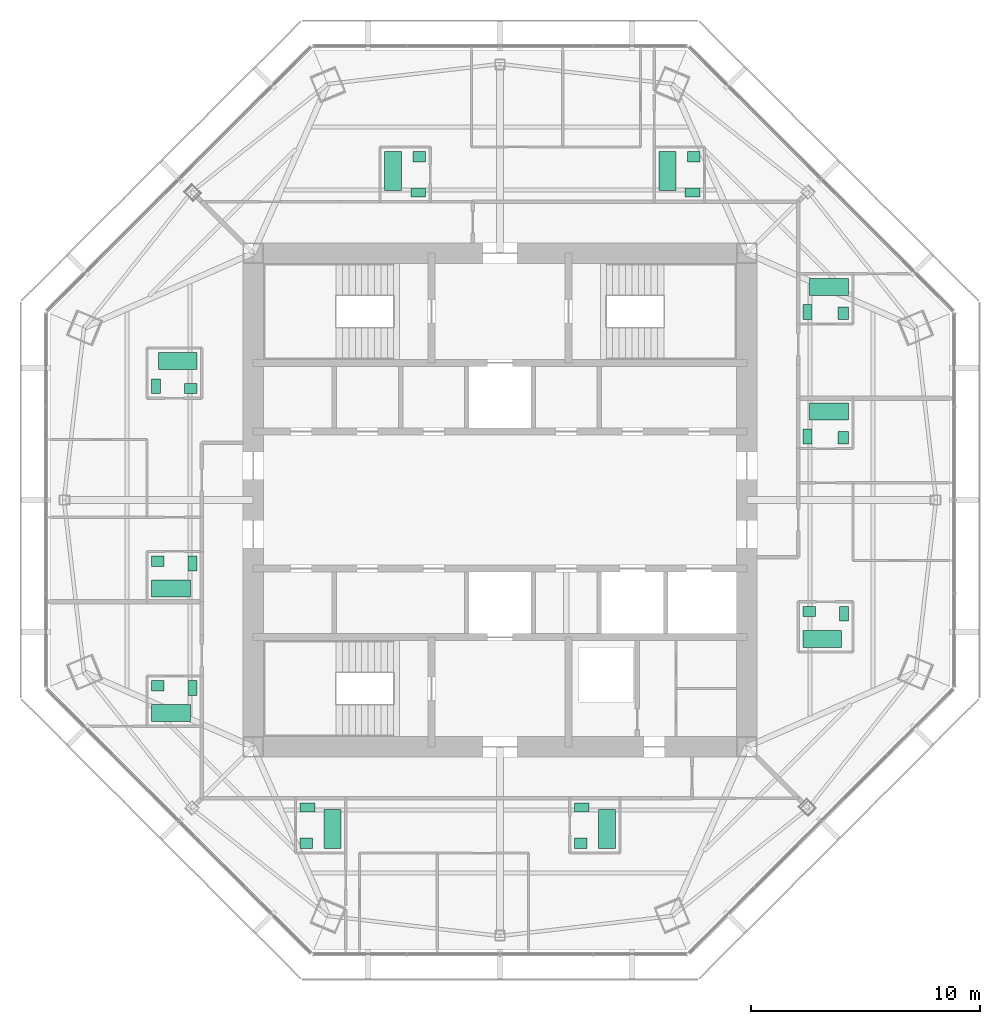
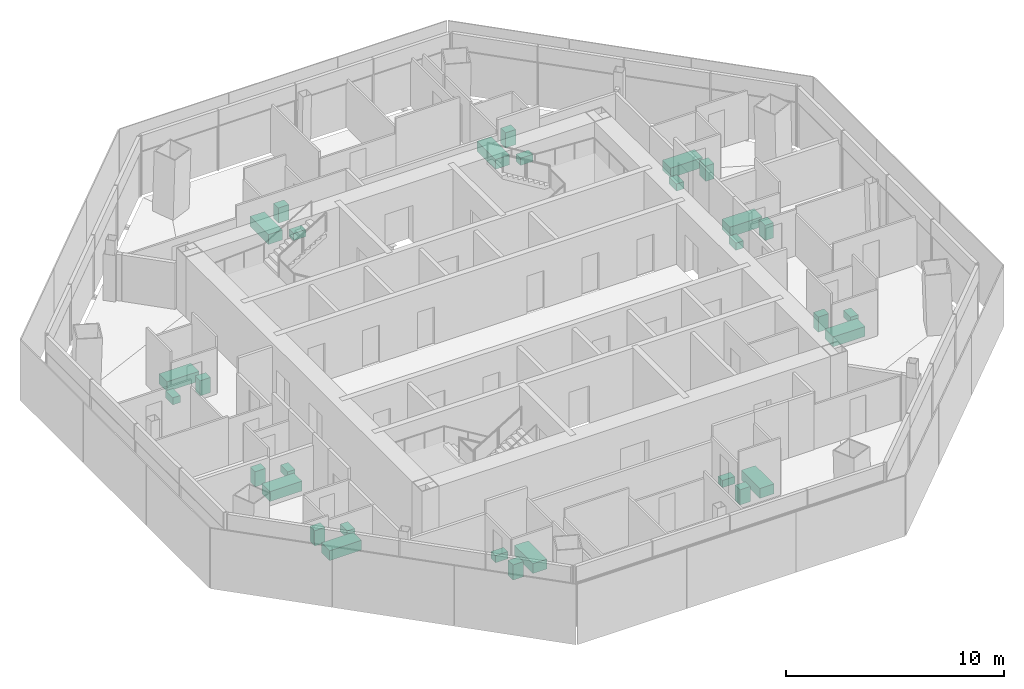
# One storey, part 14 of 14: 30 sanitary terminals.
"""IFC4 building model written with IfcOpenShell, lengths in metres."""

from ifc_helpers import new_model, si_unit, direction, frame, origin, origin_2d, place, context, subcontext, project, spatial, rectangle, extrude, material, type_object, element, save


model = new_model("IFC4")

# Units and contexts
model_context = context("Model", 3, precision=1e-05, world=origin(), true_north=direction((0.0, 1.0)))
body_context = subcontext(model_context, "Body", "Model", "MODEL_VIEW")
ifc_project = project(units=[si_unit("LENGTHUNIT", "METRE"), si_unit("AREAUNIT", "SQUARE_METRE"), si_unit("VOLUMEUNIT", "CUBIC_METRE"), si_unit("PLANEANGLEUNIT", "RADIAN"), si_unit("MASSUNIT", "GRAM", prefix="KILO")], contexts=[model_context])

# Site, building, storey
site_placement = place(None, origin())
site = spatial("IfcSite", under=ifc_project, at=site_placement, CompositionType="ELEMENT")
building_placement = place(site_placement, origin())
building = spatial("IfcBuilding", under=site, at=building_placement, Name="Mashrafa Tower", CompositionType="ELEMENT")
storey_placement = place(building_placement, frame((0.0, 0.0, 287.800048828125)))
storey = spatial("IfcBuildingStorey", under=building, at=storey_placement, Name="L70", CompositionType="ELEMENT", Elevation=287.800048828125)

# Sanitary terminals
ifc_material_1 = material(Name="Enamelled steel", Category="steel")
sanitary_terminal_type_1 = type_object("IfcSanitaryTerminalType", Name="Bath 1700 x 750", PredefinedType="BATH", material=ifc_material_1)
for number, where, z_axis, x_axis, name in (
    (1, (14.10009765625, -6.074951171875, 0.0), (0.0, 0.0, 1.0), (1.0, 0.0, 0.0), "Bath Apartment 7001 Bathroom"),
    (2, (14.39990234375, 3.875, 0.0), (0.0, 0.0, 1.0), (-1.0, 0.0, 0.0), "Bath Apartment 7001 En-suite Bathroom"),
    (3, (14.39990234375, 9.324951171875, 0.0), (0.0, 0.0, 1.0), (-1.0, 0.0, 0.0), "Bath Apartment 7002 Bathroom"),
    (4, (-4.675048828125, 14.39990234375, 0.0), (0.0, 0.0, 1.0), (0.0, -1.0, 0.0), "Bath Apartment 7003 Bathroom"),
    (5, (7.324951171875, 14.39990234375, 0.0), (0.0, 0.0, 1.0), (0.0, -1.0, 0.0), "Bath Apartment 7003 En-suite Bathroom"),
    (6, (-14.10009765625, 6.074951171875, 0.0), (0.0, 0.0, 1.0), (-1.0, 0.0, 0.0), "Bath Apartment 7004 Bathroom"),
    (7, (-14.39990234375, -3.875, 0.0), (0.0, 0.0, 1.0), (1.0, 0.0, 0.0), "Bath Apartment 7004 En-suite Bathroom"),
    (8, (-14.39990234375, -9.324951171875, 0.0), (0.0, 0.0, 1.0), (1.0, 0.0, 0.0), "Bath Apartment 7005 Bathroom"),
    (9, (4.675048828125, -14.39990234375, 0.0), (0.0, 0.0, 1.0), (0.0, 1.0, 0.0), "Bath Apartment 7006 Bathroom"),
    (10, (-7.324951171875, -14.39990234375, 0.0), (0.0, 0.0, 1.0), (0.0, 1.0, 0.0), "Bath Apartment 7006 En-suite Bathroom"),
):
    element("IfcSanitaryTerminal", number, at=place(storey_placement, frame(where, z_axis=z_axis, x_axis=x_axis)), inside=storey, type_object=sanitary_terminal_type_1, Name=name, PredefinedType="BATH", context=body_context, shape_type="SweptSolid", body=[
        extrude(rectangle(XDim=1.699951171875, YDim=0.75, at=origin_2d()), origin(), (0.0, 0.0, 1.0), 0.550048828125),
    ])
ifc_material_2 = material(Name="Vitreous china")
sanitary_terminal_type_2 = type_object("IfcSanitaryTerminalType", Name="Toilet pan 400 x 650", PredefinedType="TOILETPAN", material=ifc_material_2)
for number, where, z_axis, x_axis, name in (
    (11, (15.050048828125, -4.97509765625, 0.0), (0.0, 0.0, 1.0), (-1.0, 0.0, 0.0), "Toilet pan Apartment 7001 Bathroom"),
    (12, (13.449951171875, 2.77490234375, 0.0), (0.0, 0.0, 1.0), (1.0, 0.0, 0.0), "Toilet pan Apartment 7001 En-suite Bathroom"),
    (13, (13.449951171875, 8.22509765625, 0.0), (0.0, 0.0, 1.0), (1.0, 0.0, 0.0), "Toilet pan Apartment 7002 Bathroom"),
    (14, (-3.574951171875, 13.449951171875, 0.0), (0.0, 0.0, 1.0), (0.0, 1.0, 0.0), "Toilet pan Apartment 7003 Bathroom"),
    (15, (8.425048828125, 13.449951171875, 0.0), (0.0, 0.0, 1.0), (0.0, 1.0, 0.0), "Toilet pan Apartment 7003 En-suite Bathroom"),
    (16, (-15.050048828125, 4.97509765625, 0.0), (0.0, 0.0, 1.0), (1.0, 0.0, 0.0), "Toilet pan Apartment 7004 Bathroom"),
    (17, (-13.449951171875, -2.77490234375, 0.0), (0.0, 0.0, 1.0), (-1.0, 0.0, 0.0), "Toilet pan Apartment 7004 En-suite Bathroom"),
    (18, (-13.449951171875, -8.22509765625, 0.0), (0.0, 0.0, 1.0), (-1.0, 0.0, 0.0), "Toilet pan Apartment 7005 Bathroom"),
    (19, (3.574951171875, -13.449951171875, 0.0), (0.0, 0.0, 1.0), (0.0, -1.0, 0.0), "Toilet pan Apartment 7006 Bathroom"),
    (20, (-8.425048828125, -13.449951171875, 0.0), (0.0, 0.0, 1.0), (0.0, -1.0, 0.0), "Toilet pan Apartment 7006 En-suite Bathroom"),
):
    element("IfcSanitaryTerminal", number, at=place(storey_placement, frame(where, z_axis=z_axis, x_axis=x_axis)), inside=storey, type_object=sanitary_terminal_type_2, Name=name, PredefinedType="TOILETPAN", context=body_context, shape_type="SweptSolid", body=[
        extrude(rectangle(XDim=0.39990234375, YDim=0.64990234375, at=origin_2d()), origin(), (0.0, 0.0, 1.0), 0.39990234375),
    ])
ifc_material_3 = material(Name="Vitreous china")
sanitary_terminal_type_3 = type_object("IfcSanitaryTerminalType", Name="Wash basin 550 x 450", PredefinedType="WASHHANDBASIN", material=ifc_material_3)
for number, where, z_axis, x_axis, name in (
    (21, (13.52490234375, -4.875, 0.0), (0.0, 0.0, 1.0), (-1.0, 0.0, 0.0), "Wash basin Apartment 7001 Bathroom"),
    (22, (15.02490234375, 2.72509765625, 0.0), (0.0, 0.0, 1.0), (0.0, 1.0, 0.0), "Wash basin Apartment 7001 En-suite Bathroom"),
    (23, (15.02490234375, 8.175048828125, 0.0), (0.0, 0.0, 1.0), (0.0, 1.0, 0.0), "Wash basin Apartment 7002 Bathroom"),
    (24, (-3.52490234375, 15.02490234375, 0.0), (0.0, 0.0, 1.0), (-1.0, 0.0, 0.0), "Wash basin Apartment 7003 Bathroom"),
    (25, (8.47509765625, 15.02490234375, 0.0), (0.0, 0.0, 1.0), (-1.0, 0.0, 0.0), "Wash basin Apartment 7003 En-suite Bathroom"),
    (26, (-13.52490234375, 4.875, 0.0), (0.0, 0.0, 1.0), (1.0, 0.0, 0.0), "Wash basin Apartment 7004 Bathroom"),
    (27, (-14.97509765625, -2.675048828125, 0.0), (0.0, 0.0, 1.0), (-1.0, 0.0, 0.0), "Wash basin Apartment 7004 En-suite Bathroom"),
    (28, (-14.97509765625, -8.125, 0.0), (0.0, 0.0, 1.0), (-1.0, 0.0, 0.0), "Wash basin Apartment 7005 Bathroom"),
    (29, (3.52490234375, -15.02490234375, 0.0), (0.0, 0.0, 1.0), (1.0, 0.0, 0.0), "Wash basin Apartment 7006 Bathroom"),
    (30, (-8.47509765625, -15.02490234375, 0.0), (0.0, 0.0, 1.0), (1.0, 0.0, 0.0), "Wash basin Apartment 7006 En-suite Bathroom"),
):
    element("IfcSanitaryTerminal", number, at=place(storey_placement, frame(where, z_axis=z_axis, x_axis=x_axis)), inside=storey, type_object=sanitary_terminal_type_3, Name=name, PredefinedType="WASHHANDBASIN", context=body_context, shape_type="SweptSolid", body=[
        extrude(rectangle(XDim=0.550048828125, YDim=0.449951171875, at=origin_2d()), origin(), (0.0, 0.0, 1.0), 0.85009765625),
    ])

save(model, "model.ifc")
